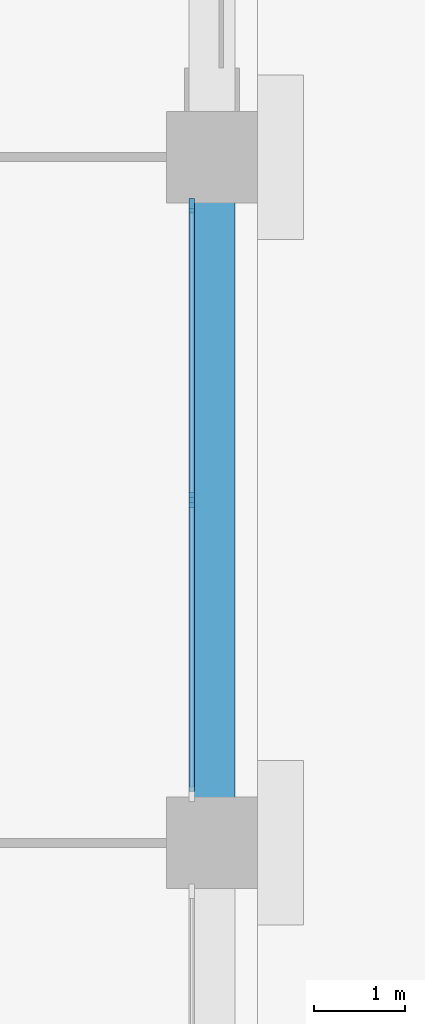
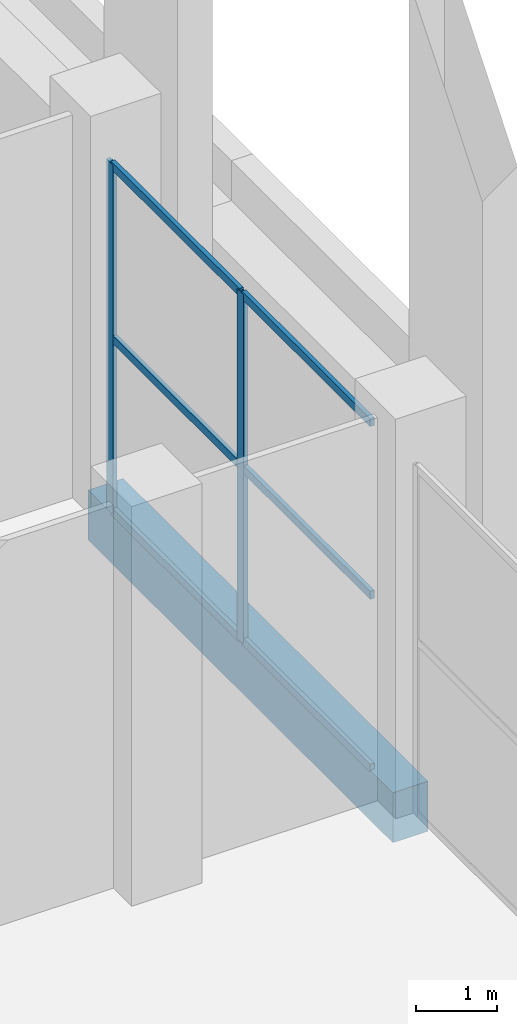
# One storey, part 5 of 23: 8 members, 1 beam, 1 element without a shape of its own.
"""IFC4 building model written with IfcOpenShell, lengths in metres."""

from ifc_helpers import new_model, si_unit, direction, frame, origin, origin_2d, place, context, subcontext, project, spatial, rectangle, extrude, material, layer, layer_set, material_profile, profile_set, type_object, element, aggregate, save


model = new_model("IFC4")

# Units and contexts
model_context = context("Model", 3, precision=1e-05, world=origin(), true_north=direction((0.0, 1.0)))
body_context = subcontext(model_context, "Body", "Model", "MODEL_VIEW")
ifc_project = project(units=[si_unit("LENGTHUNIT", "METRE"), si_unit("AREAUNIT", "SQUARE_METRE"), si_unit("VOLUMEUNIT", "CUBIC_METRE"), si_unit("PLANEANGLEUNIT", "RADIAN"), si_unit("MASSUNIT", "GRAM", prefix="KILO")], contexts=[model_context])

# Site, building, storey
site_placement = place(None, origin())
site = spatial("IfcSite", under=ifc_project, at=site_placement, CompositionType="ELEMENT")
building_placement = place(site_placement, origin())
building = spatial("IfcBuilding", under=site, at=building_placement, Name="Tamorin Gate", CompositionType="ELEMENT")
storey_placement = place(building_placement, frame((0.0, 0.0, 124.199951171875)))
storey = spatial("IfcBuildingStorey", under=building, at=storey_placement, Name="L30", CompositionType="ELEMENT", Elevation=124.199951171875)

# Curtain wall, members
ifc_material_1 = material(Name="Aluminium mullions and transoms with clear glass", Category="aluminium")
ifc_layer = layer(ifc_material_1, 0.159912109375)
ifc_layer_set = layer_set([ifc_layer], Name="Curtain wall system CW1")
curtain_wall_type = type_object("IfcCurtainWallType", Name="Curtain wall system CW1", PredefinedType="NOTDEFINED", material=ifc_layer_set)
curtain_wall_placement = place(storey_placement, origin())
curtain_wall = element("IfcCurtainWall", 1, at=curtain_wall_placement, inside=storey, type_object=curtain_wall_type, Name="Curtain wall", PredefinedType="NOTDEFINED")
ifc_material_2 = material(Name="Aluminium", Category="aluminium")
ifc_material_profile_1 = material_profile(ifc_material_2, rectangle(XDim=0.06005859375, YDim=0.159912109375, at=origin_2d()), Name="RECT 60x160")
ifc_profile_set_1 = profile_set([ifc_material_profile_1], Name="Aluminium")
member_type_1 = type_object("IfcMemberType", Name="Aluminium mullion 60x160", PredefinedType="MULLION", material=ifc_profile_set_1)
member_1_placement = place(storey_placement, frame((85.530029296875, 63.75, 0.0), z_axis=(0.0, 0.0, 1.0), x_axis=(-1.0, 0.0, 0.0)))
member_1 = element("IfcMember", 2, at=member_1_placement, type_object=member_type_1, Name="CW1 mullion 2", PredefinedType="MULLION", context=body_context, shape_type="SweptSolid", body=[
    extrude(rectangle(XDim=0.06005859375, YDim=0.159912109375, at=origin_2d()), origin(), (0.0, 0.0, 1.0), 5.25),
])
member_2_placement = place(storey_placement, frame((85.530029296875, 66.969970703125, 0.0), z_axis=(0.0, 0.0, 1.0), x_axis=(-1.0, 0.0, 0.0)))
member_2 = element("IfcMember", 3, at=member_2_placement, type_object=member_type_1, Name="CW1 mullion 3", PredefinedType="MULLION", context=body_context, shape_type="SweptSolid", body=[
    extrude(rectangle(XDim=0.06005859375, YDim=0.159912109375, at=origin_2d()), origin(), (0.0, 0.0, 1.0), 5.25),
])
ifc_material_profile_2 = material_profile(ifc_material_2, rectangle(XDim=0.06005859375, YDim=0.1201171875, at=origin_2d()), Name="RECT 60x120")
ifc_profile_set_2 = profile_set([ifc_material_profile_2], Name="Aluminium")
member_type_2 = type_object("IfcMemberType", Name="Aluminium transom 60x120", PredefinedType="USERDEFINED", material=ifc_profile_set_2)
member_3_placement = place(storey_placement, frame((85.530029296875, 60.56005859375, 0.030029296875), z_axis=(0.0, 1.0, 0.0), x_axis=(-1.0, 0.0, 0.0)))
member_3 = element("IfcMember", 4, at=member_3_placement, type_object=member_type_2, Name="CW1 transom 1.1", ObjectType="TRANSOM", PredefinedType="USERDEFINED", context=body_context, shape_type="SweptSolid", body=[
    extrude(rectangle(XDim=0.06005859375, YDim=0.1201171875, at=origin_2d()), origin(), (0.0, 0.0, 1.0), 3.159912109375),
])
member_4_placement = place(storey_placement, frame((85.530029296875, 60.56005859375, 2.625), z_axis=(0.0, 1.0, 0.0), x_axis=(-1.0, 0.0, 0.0)))
member_4 = element("IfcMember", 5, at=member_4_placement, type_object=member_type_2, Name="CW1 transom 1.2", ObjectType="TRANSOM", PredefinedType="USERDEFINED", context=body_context, shape_type="SweptSolid", body=[
    extrude(rectangle(XDim=0.06005859375, YDim=0.1201171875, at=origin_2d()), origin(), (0.0, 0.0, 1.0), 3.159912109375),
])
member_5_placement = place(storey_placement, frame((85.530029296875, 60.56005859375, 5.219970703125), z_axis=(0.0, 1.0, 0.0), x_axis=(-1.0, 0.0, 0.0)))
member_5 = element("IfcMember", 6, at=member_5_placement, type_object=member_type_2, Name="CW1 transom 1.3", ObjectType="TRANSOM", PredefinedType="USERDEFINED", context=body_context, shape_type="SweptSolid", body=[
    extrude(rectangle(XDim=0.06005859375, YDim=0.1201171875, at=origin_2d()), origin(), (0.0, 0.0, 1.0), 3.159912109375),
])
member_6_placement = place(storey_placement, frame((85.530029296875, 63.780029296875, 0.030029296875), z_axis=(0.0, 1.0, 0.0), x_axis=(-1.0, 0.0, 0.0)))
member_6 = element("IfcMember", 7, at=member_6_placement, type_object=member_type_2, Name="CW1 transom 2.1", ObjectType="TRANSOM", PredefinedType="USERDEFINED", context=body_context, shape_type="SweptSolid", body=[
    extrude(rectangle(XDim=0.06005859375, YDim=0.1201171875, at=origin_2d()), origin(), (0.0, 0.0, 1.0), 3.159912109375),
])
member_7_placement = place(storey_placement, frame((85.530029296875, 63.780029296875, 2.625), z_axis=(0.0, 1.0, 0.0), x_axis=(-1.0, 0.0, 0.0)))
member_7 = element("IfcMember", 8, at=member_7_placement, type_object=member_type_2, Name="CW1 transom 2.2", ObjectType="TRANSOM", PredefinedType="USERDEFINED", context=body_context, shape_type="SweptSolid", body=[
    extrude(rectangle(XDim=0.06005859375, YDim=0.1201171875, at=origin_2d()), origin(), (0.0, 0.0, 1.0), 3.159912109375),
])
member_8_placement = place(storey_placement, frame((85.530029296875, 63.780029296875, 5.219970703125), z_axis=(0.0, 1.0, 0.0), x_axis=(-1.0, 0.0, 0.0)))
member_8 = element("IfcMember", 9, at=member_8_placement, type_object=member_type_2, Name="CW1 transom 2.3", ObjectType="TRANSOM", PredefinedType="USERDEFINED", context=body_context, shape_type="SweptSolid", body=[
    extrude(rectangle(XDim=0.06005859375, YDim=0.1201171875, at=origin_2d()), origin(), (0.0, 0.0, 1.0), 3.159912109375),
])
aggregate(curtain_wall, [member_1, member_2, member_3, member_4, member_5, member_6, member_7, member_8])

# Beam
ifc_material_3 = material(Name="Concrete C50/60", Category="concrete")
ifc_material_profile_3 = material_profile(ifc_material_3, rectangle(XDim=0.5, YDim=0.75, at=origin_2d()), Name="RC 500x750")
ifc_profile_set_3 = profile_set([ifc_material_profile_3], Name="Concrete C50/60")
beam_type = type_object("IfcBeamType", Name="RC spandrel 500x750 C50/60", PredefinedType="BEAM", material=ifc_profile_set_3)
beam_placement = place(storey_placement, frame((85.75, 60.0, -0.375), z_axis=(0.0, 1.0, 0.0), x_axis=(-1.0, 0.0, 0.0)))
element("IfcBeam", 10, at=beam_placement, inside=storey, type_object=beam_type, Name="Spandrel beam L30", PredefinedType="BEAM", context=body_context, shape_type="SweptSolid", body=[
    extrude(rectangle(XDim=0.5, YDim=0.75, at=origin_2d()), origin(), (0.0, 0.0, 1.0), 7.5),
])

save(model, "model.ifc")
